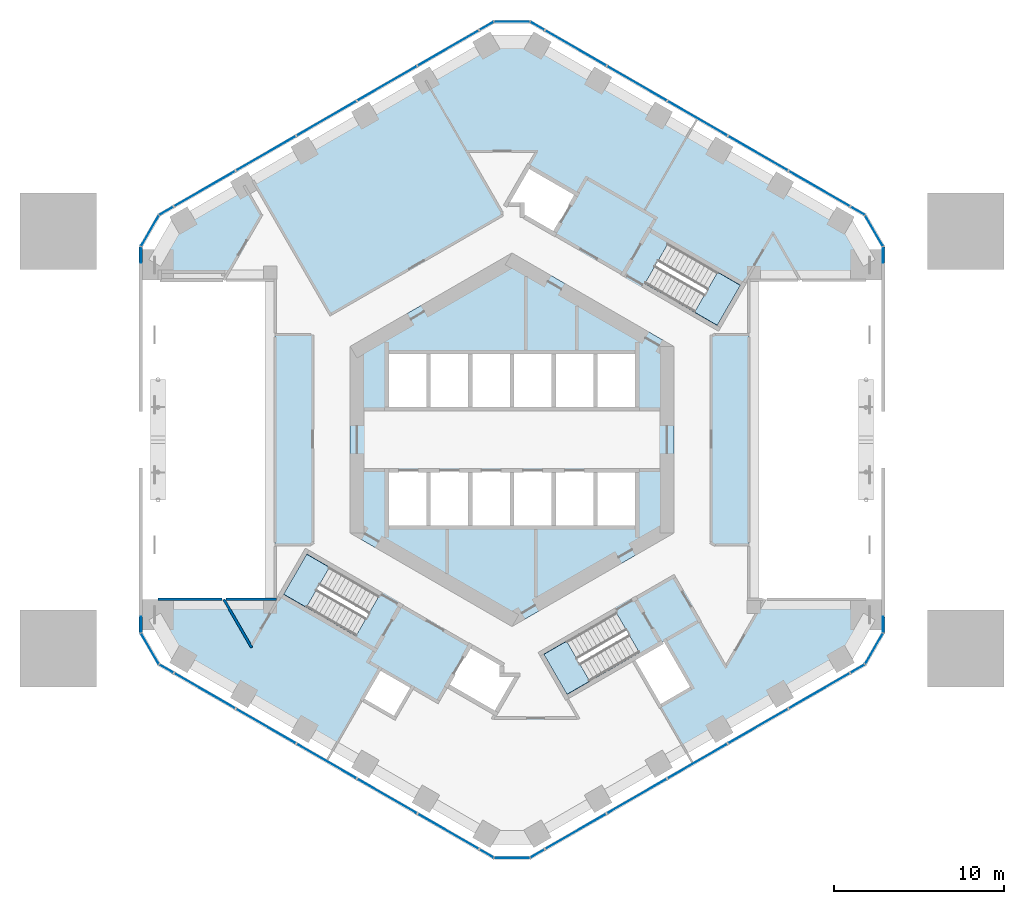
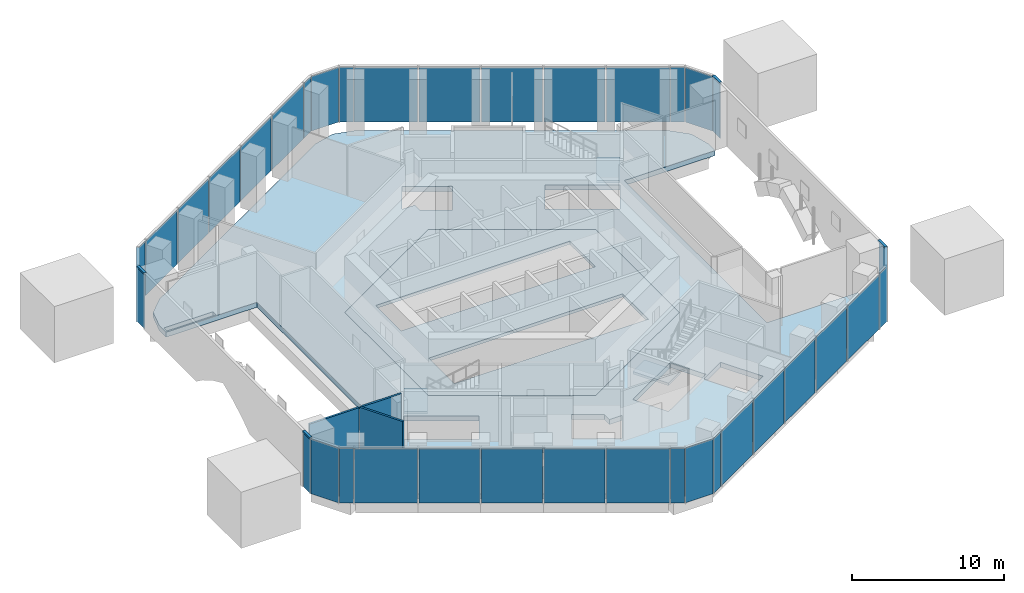
# One storey, part 8 of 14: 38 plates, 5 slabs, 4 members, 3 walls, 13 elements without a shape of their own.
"""IFC4 building model written with IfcOpenShell, lengths in metres."""

from ifc_helpers import new_model, si_unit, direction, frame, frame_2d, origin, origin_2d, place, context, subcontext, project, spatial, polyline, rectangle, outline, extrude, material, layer, layer_set, material_profile, profile_set, type_object, element, aggregate, save


model = new_model("IFC4")

# Units and contexts
model_context = context("Model", 3, precision=1e-05, world=origin(), true_north=direction((0.0, 1.0)))
body_context = subcontext(model_context, "Body", "Model", "MODEL_VIEW")
ifc_project = project(units=[si_unit("LENGTHUNIT", "METRE"), si_unit("AREAUNIT", "SQUARE_METRE"), si_unit("VOLUMEUNIT", "CUBIC_METRE"), si_unit("PLANEANGLEUNIT", "RADIAN"), si_unit("MASSUNIT", "GRAM", prefix="KILO")], contexts=[model_context])

# Site, building, storey
site_placement = place(None, origin())
site = spatial("IfcSite", under=ifc_project, at=site_placement, CompositionType="ELEMENT")
building_placement = place(site_placement, origin())
building = spatial("IfcBuilding", under=site, at=building_placement, Name="Ayvan Gate Tower", CompositionType="ELEMENT")
storey_placement = place(building_placement, frame((0.0, 0.0, 16.0)))
storey = spatial("IfcBuildingStorey", under=building, at=storey_placement, Name="L03", CompositionType="ELEMENT", Elevation=16.0)

# Curtain wall, member
ifc_material_1 = material(Name="Bronze anodised aluminium", Category="aluminium")
ifc_layer_1 = layer(ifc_material_1, 0.199951171875)
ifc_layer_set_1 = layer_set([ifc_layer_1], Name="Bronze anodised aluminium")
curtain_wall_type_1 = type_object("IfcCurtainWallType", Name="Stick curtain wall CW-6", PredefinedType="NOTDEFINED", material=ifc_layer_set_1)
curtain_wall_1_placement = place(storey_placement, origin())
curtain_wall_1 = element("IfcCurtainWall", 1, at=curtain_wall_1_placement, inside=storey, type_object=curtain_wall_type_1, Name="Stick curtain wall CW-6 L03", PredefinedType="NOTDEFINED")
ifc_material_profile = material_profile(ifc_material_1, rectangle(XDim=0.199951171875, YDim=0.1201171875, at=origin_2d()), Name="Stick curtain wall CW-6 transom 200 x 120")
ifc_profile_set = profile_set([ifc_material_profile], Name="Bronze anodised aluminium")
member_type = type_object("IfcMemberType", Name="Stick curtain wall CW-6 transom 200 x 120", PredefinedType="USERDEFINED", material=ifc_profile_set)
member_1_placement = place(storey_placement, frame((-21.78466796875, 11.32470703125, 4.43994140625), z_axis=(0.0, -1.0, 0.0), x_axis=(1.0, 0.0, 0.0)))
member_1 = element("IfcMember", 2, at=member_1_placement, type_object=member_type, Name="CW-6 transom 3", ObjectType="TRANSOM", PredefinedType="USERDEFINED", context=body_context, shape_type="SweptSolid", body=[
    extrude(rectangle(XDim=0.199951171875, YDim=0.1201171875, at=origin_2d()), origin(), (0.0, 0.0, 1.0), 0.925048828125),
])

curtain_wall_2_placement = place(storey_placement, origin())
curtain_wall_2 = element("IfcCurtainWall", 3, at=curtain_wall_2_placement, inside=storey, type_object=curtain_wall_type_1, Name="Stick curtain wall CW-6 L03", PredefinedType="NOTDEFINED")
member_2_placement = place(storey_placement, frame((-21.78466796875, -10.399658203125, 4.43994140625), z_axis=(0.0, -1.0, 0.0), x_axis=(1.0, 0.0, 0.0)))
member_2 = element("IfcMember", 4, at=member_2_placement, type_object=member_type, Name="CW-6 transom 1", ObjectType="TRANSOM", PredefinedType="USERDEFINED", context=body_context, shape_type="SweptSolid", body=[
    extrude(rectangle(XDim=0.199951171875, YDim=0.1201171875, at=origin_2d()), origin(), (0.0, 0.0, 1.0), 0.925048828125),
])

curtain_wall_3_placement = place(storey_placement, origin())
curtain_wall_3 = element("IfcCurtainWall", 5, at=curtain_wall_3_placement, inside=storey, type_object=curtain_wall_type_1, Name="Stick curtain wall CW-6 L03", PredefinedType="NOTDEFINED")
member_3_placement = place(storey_placement, frame((21.78466796875, -11.32470703125, 4.43994140625), z_axis=(0.0, 1.0, 0.0), x_axis=(-1.0, 0.0, 0.0)))
member_3 = element("IfcMember", 6, at=member_3_placement, type_object=member_type, Name="CW-6 transom 3", ObjectType="TRANSOM", PredefinedType="USERDEFINED", context=body_context, shape_type="SweptSolid", body=[
    extrude(rectangle(XDim=0.199951171875, YDim=0.1201171875, at=origin_2d()), origin(), (0.0, 0.0, 1.0), 0.925048828125),
])

curtain_wall_4_placement = place(storey_placement, origin())
curtain_wall_4 = element("IfcCurtainWall", 7, at=curtain_wall_4_placement, inside=storey, type_object=curtain_wall_type_1, Name="Stick curtain wall CW-6 L03", PredefinedType="NOTDEFINED")
member_4_placement = place(storey_placement, frame((21.78466796875, 10.399658203125, 4.43994140625), z_axis=(0.0, 1.0, 0.0), x_axis=(-1.0, 0.0, 0.0)))
member_4 = element("IfcMember", 8, at=member_4_placement, type_object=member_type, Name="CW-6 transom 1", ObjectType="TRANSOM", PredefinedType="USERDEFINED", context=body_context, shape_type="SweptSolid", body=[
    extrude(rectangle(XDim=0.199951171875, YDim=0.1201171875, at=origin_2d()), origin(), (0.0, 0.0, 1.0), 0.925048828125),
])

# Slabs
ifc_material_2 = material(Name="Concrete C40/50", Category="concrete")
ifc_layer_2 = layer(ifc_material_2, 0.39990234375)
ifc_layer_set_2 = layer_set([ifc_layer_2], Name="Concrete C40/50")
slab_type_1 = type_object("IfcSlabType", Name="Post-tensioned flat slab 400", PredefinedType="FLOOR", material=ifc_layer_set_2)
slab_1_placement = place(storey_placement, frame((0.0, 0.0, -0.39990234375)))
element("IfcSlab", 9, at=slab_1_placement, inside=storey, type_object=slab_type_1, Name="SL-L03", PredefinedType="FLOOR", context=body_context, shape_type="SweptSolid", body=[
    extrude(outline(polyline([(0.0, -23.535888671875), (-1.5, -23.134033203125), (-19.28466796875, -12.865966796875), (-20.382568359375, -11.76806640625), (-20.78466796875, -10.26806640625), (-20.78466796875, 0.0), (-20.78466796875, -9.367919921875), (-13.89990234375, -9.367919921875), (-13.89990234375, 9.367919921875), (-20.78466796875, 9.367919921875), (-20.78466796875, 10.26806640625), (-20.382568359375, 11.76806640625), (-19.28466796875, 12.865966796875), (-1.5, 23.134033203125), (0.0, 23.535888671875), (1.5, 23.134033203125), (19.28466796875, 12.865966796875), (20.382568359375, 11.76806640625), (20.78466796875, 10.26806640625), (20.78466796875, 9.367919921875), (13.89990234375, 9.367919921875), (13.89990234375, -9.367919921875), (20.78466796875, -9.367919921875), (20.78466796875, -10.26806640625), (20.382568359375, -11.76806640625), (19.28466796875, -12.865966796875), (1.5, -23.134033203125), (0.0, -23.535888671875)]), holes=[polyline([(7.80615234375, 9.170654296875), (12.049560546875, 6.720458984375), (13.404541015625, 9.0673828125), (9.1611328125, 11.517578125), (7.80615234375, 9.170654296875)]), polyline([(8.995361328125, -11.780517578125), (8.735595703125, -11.9306640625), (7.090087890625, -12.880615234375), (8.690185546875, -15.65185546875), (10.595458984375, -14.5517578125), (8.995361328125, -11.780517578125)]), polyline([(9.5, -5.48486328125), (9.5, 5.48486328125), (0.0, 10.9697265625), (-9.5, 5.48486328125), (-9.5, -5.48486328125), (0.0, -10.9697265625), (9.5, -5.48486328125)]), polyline([(6.117431640625, -10.1455078125), (1.873779296875, -12.595458984375), (3.228759765625, -14.9423828125), (7.472412109375, -12.492431640625), (6.117431640625, -10.1455078125)]), polyline([(0.964599609375, 16.07080078125), (-0.340576171875, 13.81005859375), (0.60009765625, 13.81005859375), (0.60009765625, 13.16357421875), (2.472412109375, 12.08251953125), (3.822509765625, 14.420654296875), (0.964599609375, 16.07080078125)]), polyline([(-0.60009765625, -13.16357421875), (-2.472412109375, -12.08251953125), (-3.822509765625, -14.420654296875), (-0.964599609375, -16.07080078125), (0.340576171875, -13.81005859375), (-0.60009765625, -13.81005859375), (-0.60009765625, -13.16357421875)]), polyline([(-6.894775390625, -16.342041015625), (-5.8447265625, -14.5234375), (-7.75, -13.42333984375), (-8.800048828125, -15.241943359375), (-6.894775390625, -16.342041015625)]), polyline([(-13.404541015625, -9.0673828125), (-9.1611328125, -11.517578125), (-7.80615234375, -9.170654296875), (-12.049560546875, -6.720458984375), (-13.404541015625, -9.0673828125)]), polyline([(-20.6845703125, 9.468017578125), (-16.948486328125, 9.468017578125), (-16.948486328125, 9.867919921875), (-20.6845703125, 9.867919921875), (-20.6845703125, 9.468017578125)])]), origin(), (0.0, 0.0, 1.0), 0.39990234375),
])
ifc_layer_3 = layer(ifc_material_2, 0.25)
ifc_layer_set_3 = layer_set([ifc_layer_3], Name="Concrete C40/50")
slab_type_2 = type_object("IfcSlabType", Name="SL-CORE-250", PredefinedType="FLOOR", material=ifc_layer_set_3)
slab_2_placement = place(storey_placement, frame((0.0, 0.0, -0.25)))
element("IfcSlab", 10, at=slab_2_placement, inside=storey, type_object=slab_type_2, Name="CS-L03", PredefinedType="FLOOR", context=body_context, shape_type="SweptSolid", body=[
    extrude(outline(polyline([(9.5, -5.48486328125), (0.0, -10.9697265625), (-9.5, -5.48486328125), (-9.5, 5.48486328125), (0.0, 10.9697265625), (9.5, 5.48486328125), (9.5, -5.48486328125)]), holes=[polyline([(-7.35009765625, -1.800048828125), (-7.35009765625, -5.14990234375), (7.35009765625, -5.14990234375), (7.35009765625, -1.800048828125), (-7.35009765625, -1.800048828125)]), polyline([(-7.35009765625, 5.14990234375), (-7.35009765625, 1.800048828125), (7.35009765625, 1.800048828125), (7.35009765625, 5.14990234375), (-7.35009765625, 5.14990234375)])]), origin(), (0.0, 0.0, 1.0), 0.25),
])

# Stair, slab
stair_type = type_object("IfcStairType", Name="ST-EXIT", PredefinedType="HALF_TURN_STAIR", material=ifc_material_2)
stair_1_placement = place(storey_placement, origin())
stair_1 = element("IfcStair", 11, at=stair_1_placement, inside=storey, type_object=stair_type, Name="L03 Exit Stair S1", PredefinedType="HALF_TURN_STAIR")
ifc_layer_4 = layer(ifc_material_2, 0.199951171875)
ifc_layer_set_4 = layer_set([ifc_layer_4], Name="Concrete C40/50")
slab_type_3 = type_object("IfcSlabType", Name="SL-LANDING-200", PredefinedType="LANDING", material=ifc_layer_set_4)
slab_3_placement = place(storey_placement, frame((0.0, 0.0, 2.050048828125)))
slab_3 = element("IfcSlab", 12, at=slab_3_placement, type_object=slab_type_3, Name="STS1 landing 1", PredefinedType="LANDING", context=body_context, shape_type="SweptSolid", body=[
    extrude(outline(polyline([(10.716064453125, 7.490478515625), (12.049560546875, 6.720458984375), (13.404541015625, 9.0673828125), (12.071044921875, 9.83740234375), (10.716064453125, 7.490478515625)])), origin(), (0.0, 0.0, 1.0), 0.199951171875),
])
aggregate(stair_1, [slab_3])

stair_2_placement = place(storey_placement, origin())
stair_2 = element("IfcStair", 13, at=stair_2_placement, inside=storey, type_object=stair_type, Name="L03 Exit Stair S2", PredefinedType="HALF_TURN_STAIR")
slab_4_placement = place(storey_placement, frame((0.0, 0.0, 2.050048828125)))
slab_4 = element("IfcSlab", 14, at=slab_4_placement, type_object=slab_type_3, Name="STS2 landing 1", PredefinedType="LANDING", context=body_context, shape_type="SweptSolid", body=[
    extrude(outline(polyline([(-10.716064453125, -7.490478515625), (-12.049560546875, -6.720458984375), (-13.404541015625, -9.0673828125), (-12.071044921875, -9.83740234375), (-10.716064453125, -7.490478515625)])), origin(), (0.0, 0.0, 1.0), 0.199951171875),
])
aggregate(stair_2, [slab_4])

stair_3_placement = place(storey_placement, origin())
stair_3 = element("IfcStair", 15, at=stair_3_placement, inside=storey, type_object=stair_type, Name="L03 Exit Stair S3", PredefinedType="HALF_TURN_STAIR")
slab_5_placement = place(storey_placement, frame((0.0, 0.0, 2.050048828125)))
slab_5 = element("IfcSlab", 16, at=slab_5_placement, type_object=slab_type_3, Name="STS3 landing 1", PredefinedType="LANDING", context=body_context, shape_type="SweptSolid", body=[
    extrude(outline(polyline([(3.20751953125, -11.82568359375), (1.873779296875, -12.595458984375), (3.228759765625, -14.9423828125), (4.5625, -14.172607421875), (3.20751953125, -11.82568359375)])), origin(), (0.0, 0.0, 1.0), 0.199951171875),
])
aggregate(stair_3, [slab_5])

# Curtain wall, plates
ifc_layer_5 = layer(ifc_material_1, 0.199951171875)
ifc_layer_set_5 = layer_set([ifc_layer_5], Name="Bronze anodised aluminium")
curtain_wall_type_2 = type_object("IfcCurtainWallType", Name="Stick curtain wall CW-3", PredefinedType="NOTDEFINED", material=ifc_layer_set_5)
curtain_wall_5_placement = place(storey_placement, origin())
curtain_wall_5 = element("IfcCurtainWall", 17, at=curtain_wall_5_placement, inside=storey, type_object=curtain_wall_type_2, Name="Stick curtain wall CW-3 L03", PredefinedType="NOTDEFINED")
ifc_material_3 = material(Name="Clear low-iron laminated glass", Category="glass")
ifc_layer_6 = layer(ifc_material_3, 0.028076171875)
ifc_layer_set_6 = layer_set([ifc_layer_6], Name="Clear low-iron laminated glass")
plate_type_1 = type_object("IfcPlateType", Name="Stick curtain wall CW-3 glass panel", PredefinedType="CURTAIN_PANEL", material=ifc_layer_set_6)
plate_1_placement = place(storey_placement, frame((-3.721435546875, 23.006103515625, 0.0), z_axis=(0.0, 0.0, 1.0), x_axis=(-0.866025403784, -0.5, 0.0)))
plate_1 = element("IfcPlate", 18, at=plate_1_placement, type_object=plate_type_1, Name="CW-3 glass panel 1", PredefinedType="CURTAIN_PANEL", context=body_context, shape_type="SweptSolid", body=[
    extrude(rectangle(XDim=4.138916015625, YDim=0.028076171875, at=origin_2d()), origin(), (0.0, 0.0, 1.0), 4.340087890625),
])
plate_2_placement = place(storey_placement, frame((-7.33544921875, 20.919677734375, 0.0), z_axis=(0.0, 0.0, 1.0), x_axis=(-0.866025403784, -0.5, 0.0)))
plate_2 = element("IfcPlate", 19, at=plate_2_placement, type_object=plate_type_1, Name="CW-3 glass panel 2", PredefinedType="CURTAIN_PANEL", context=body_context, shape_type="SweptSolid", body=[
    extrude(rectangle(XDim=4.007080078125, YDim=0.028076171875, at=origin_2d()), origin(), (0.0, 0.0, 1.0), 4.340087890625),
])
plate_3_placement = place(storey_placement, frame((-10.892333984375, 18.865966796875, 0.0), z_axis=(0.0, 0.0, 1.0), x_axis=(-0.866025403784, -0.5, 0.0)))
plate_3 = element("IfcPlate", 20, at=plate_3_placement, type_object=plate_type_1, Name="CW-3 glass panel 3", PredefinedType="CURTAIN_PANEL", context=body_context, shape_type="SweptSolid", body=[
    extrude(rectangle(XDim=4.007080078125, YDim=0.028076171875, at=origin_2d()), origin(), (0.0, 0.0, 1.0), 4.340087890625),
])
plate_4_placement = place(storey_placement, frame((-14.448974609375, 16.8125, 0.0), z_axis=(0.0, 0.0, 1.0), x_axis=(-0.866025403784, -0.5, 0.0)))
plate_4 = element("IfcPlate", 21, at=plate_4_placement, type_object=plate_type_1, Name="CW-3 glass panel 4", PredefinedType="CURTAIN_PANEL", context=body_context, shape_type="SweptSolid", body=[
    extrude(rectangle(XDim=4.007080078125, YDim=0.028076171875, at=origin_2d()), origin(), (0.0, 0.0, 1.0), 4.340087890625),
])
plate_5_placement = place(storey_placement, frame((-18.06298828125, 14.72607421875, 0.0), z_axis=(0.0, 0.0, 1.0), x_axis=(-0.866025403784, -0.5, 0.0)))
plate_5 = element("IfcPlate", 22, at=plate_5_placement, type_object=plate_type_1, Name="CW-3 glass panel 5", PredefinedType="CURTAIN_PANEL", context=body_context, shape_type="SweptSolid", body=[
    extrude(rectangle(XDim=4.13916015625, YDim=0.028076171875, at=origin_2d()), origin(), (0.0, 0.0, 1.0), 4.340087890625),
])
aggregate(curtain_wall_5, [plate_1, plate_2, plate_3, plate_4, plate_5])

curtain_wall_6_placement = place(storey_placement, origin())
curtain_wall_6 = element("IfcCurtainWall", 23, at=curtain_wall_6_placement, inside=storey, type_object=curtain_wall_type_2, Name="Stick curtain wall CW-3 L03", PredefinedType="NOTDEFINED")
plate_6_placement = place(storey_placement, frame((-18.06298828125, -14.72607421875, 0.0), z_axis=(0.0, 0.0, 1.0), x_axis=(0.866025403784, -0.5, 0.0)))
plate_6 = element("IfcPlate", 24, at=plate_6_placement, type_object=plate_type_1, Name="CW-3 glass panel 1", PredefinedType="CURTAIN_PANEL", context=body_context, shape_type="SweptSolid", body=[
    extrude(rectangle(XDim=4.138916015625, YDim=0.028076171875, at=origin_2d()), origin(), (0.0, 0.0, 1.0), 4.340087890625),
])
plate_7_placement = place(storey_placement, frame((-14.44921875, -16.8125, 0.0), z_axis=(0.0, 0.0, 1.0), x_axis=(0.866025403784, -0.5, 0.0)))
plate_7 = element("IfcPlate", 25, at=plate_7_placement, type_object=plate_type_1, Name="CW-3 glass panel 2", PredefinedType="CURTAIN_PANEL", context=body_context, shape_type="SweptSolid", body=[
    extrude(rectangle(XDim=4.007080078125, YDim=0.028076171875, at=origin_2d()), origin(), (0.0, 0.0, 1.0), 4.340087890625),
])
plate_8_placement = place(storey_placement, frame((-10.892333984375, -18.865966796875, 0.0), z_axis=(0.0, 0.0, 1.0), x_axis=(0.866025403784, -0.5, 0.0)))
plate_8 = element("IfcPlate", 26, at=plate_8_placement, type_object=plate_type_1, Name="CW-3 glass panel 3", PredefinedType="CURTAIN_PANEL", context=body_context, shape_type="SweptSolid", body=[
    extrude(rectangle(XDim=4.007080078125, YDim=0.028076171875, at=origin_2d()), origin(), (0.0, 0.0, 1.0), 4.340087890625),
])
plate_9_placement = place(storey_placement, frame((-7.335693359375, -20.91943359375, 0.0), z_axis=(0.0, 0.0, 1.0), x_axis=(0.866025403784, -0.5, 0.0)))
plate_9 = element("IfcPlate", 27, at=plate_9_placement, type_object=plate_type_1, Name="CW-3 glass panel 4", PredefinedType="CURTAIN_PANEL", context=body_context, shape_type="SweptSolid", body=[
    extrude(rectangle(XDim=4.007080078125, YDim=0.028076171875, at=origin_2d()), origin(), (0.0, 0.0, 1.0), 4.340087890625),
])
plate_10_placement = place(storey_placement, frame((-3.7216796875, -23.006103515625, 0.0), z_axis=(0.0, 0.0, 1.0), x_axis=(0.866025403784, -0.5, 0.0)))
plate_10 = element("IfcPlate", 28, at=plate_10_placement, type_object=plate_type_1, Name="CW-3 glass panel 5", PredefinedType="CURTAIN_PANEL", context=body_context, shape_type="SweptSolid", body=[
    extrude(rectangle(XDim=4.13916015625, YDim=0.028076171875, at=origin_2d()), origin(), (0.0, 0.0, 1.0), 4.340087890625),
])
aggregate(curtain_wall_6, [plate_6, plate_7, plate_8, plate_9, plate_10])

curtain_wall_7_placement = place(storey_placement, origin())
curtain_wall_7 = element("IfcCurtainWall", 29, at=curtain_wall_7_placement, inside=storey, type_object=curtain_wall_type_2, Name="Stick curtain wall CW-3 L03", PredefinedType="NOTDEFINED")
plate_11_placement = place(storey_placement, frame((3.721435546875, -23.006103515625, 0.0), z_axis=(0.0, 0.0, 1.0), x_axis=(0.866025403784, 0.5, 0.0)))
plate_11 = element("IfcPlate", 30, at=plate_11_placement, type_object=plate_type_1, Name="CW-3 glass panel 1", PredefinedType="CURTAIN_PANEL", context=body_context, shape_type="SweptSolid", body=[
    extrude(rectangle(XDim=4.138916015625, YDim=0.028076171875, at=origin_2d()), origin(), (0.0, 0.0, 1.0), 4.340087890625),
])
plate_12_placement = place(storey_placement, frame((7.33544921875, -20.919677734375, 0.0), z_axis=(0.0, 0.0, 1.0), x_axis=(0.866025403784, 0.5, 0.0)))
plate_12 = element("IfcPlate", 31, at=plate_12_placement, type_object=plate_type_1, Name="CW-3 glass panel 2", PredefinedType="CURTAIN_PANEL", context=body_context, shape_type="SweptSolid", body=[
    extrude(rectangle(XDim=4.007080078125, YDim=0.028076171875, at=origin_2d()), origin(), (0.0, 0.0, 1.0), 4.340087890625),
])
plate_13_placement = place(storey_placement, frame((10.892333984375, -18.865966796875, 0.0), z_axis=(0.0, 0.0, 1.0), x_axis=(0.866025403784, 0.5, 0.0)))
plate_13 = element("IfcPlate", 32, at=plate_13_placement, type_object=plate_type_1, Name="CW-3 glass panel 3", PredefinedType="CURTAIN_PANEL", context=body_context, shape_type="SweptSolid", body=[
    extrude(rectangle(XDim=4.007080078125, YDim=0.028076171875, at=origin_2d()), origin(), (0.0, 0.0, 1.0), 4.340087890625),
])
plate_14_placement = place(storey_placement, frame((14.448974609375, -16.8125, 0.0), z_axis=(0.0, 0.0, 1.0), x_axis=(0.866025403784, 0.5, 0.0)))
plate_14 = element("IfcPlate", 33, at=plate_14_placement, type_object=plate_type_1, Name="CW-3 glass panel 4", PredefinedType="CURTAIN_PANEL", context=body_context, shape_type="SweptSolid", body=[
    extrude(rectangle(XDim=4.007080078125, YDim=0.028076171875, at=origin_2d()), origin(), (0.0, 0.0, 1.0), 4.340087890625),
])
plate_15_placement = place(storey_placement, frame((18.06298828125, -14.72607421875, 0.0), z_axis=(0.0, 0.0, 1.0), x_axis=(0.866025403784, 0.5, 0.0)))
plate_15 = element("IfcPlate", 34, at=plate_15_placement, type_object=plate_type_1, Name="CW-3 glass panel 5", PredefinedType="CURTAIN_PANEL", context=body_context, shape_type="SweptSolid", body=[
    extrude(rectangle(XDim=4.13916015625, YDim=0.028076171875, at=origin_2d()), origin(), (0.0, 0.0, 1.0), 4.340087890625),
])
aggregate(curtain_wall_7, [plate_11, plate_12, plate_13, plate_14, plate_15])

curtain_wall_8_placement = place(storey_placement, origin())
curtain_wall_8 = element("IfcCurtainWall", 35, at=curtain_wall_8_placement, inside=storey, type_object=curtain_wall_type_2, Name="Stick curtain wall CW-3 L03", PredefinedType="NOTDEFINED")
plate_16_placement = place(storey_placement, frame((18.06298828125, 14.72607421875, 0.0), z_axis=(0.0, 0.0, 1.0), x_axis=(-0.866025403784, 0.5, 0.0)))
plate_16 = element("IfcPlate", 36, at=plate_16_placement, type_object=plate_type_1, Name="CW-3 glass panel 1", PredefinedType="CURTAIN_PANEL", context=body_context, shape_type="SweptSolid", body=[
    extrude(rectangle(XDim=4.138916015625, YDim=0.028076171875, at=origin_2d()), origin(), (0.0, 0.0, 1.0), 4.340087890625),
])
plate_17_placement = place(storey_placement, frame((14.44921875, 16.8125, 0.0), z_axis=(0.0, 0.0, 1.0), x_axis=(-0.866025403784, 0.5, 0.0)))
plate_17 = element("IfcPlate", 37, at=plate_17_placement, type_object=plate_type_1, Name="CW-3 glass panel 2", PredefinedType="CURTAIN_PANEL", context=body_context, shape_type="SweptSolid", body=[
    extrude(rectangle(XDim=4.007080078125, YDim=0.028076171875, at=origin_2d()), origin(), (0.0, 0.0, 1.0), 4.340087890625),
])
plate_18_placement = place(storey_placement, frame((10.892333984375, 18.865966796875, 0.0), z_axis=(0.0, 0.0, 1.0), x_axis=(-0.866025403784, 0.5, 0.0)))
plate_18 = element("IfcPlate", 38, at=plate_18_placement, type_object=plate_type_1, Name="CW-3 glass panel 3", PredefinedType="CURTAIN_PANEL", context=body_context, shape_type="SweptSolid", body=[
    extrude(rectangle(XDim=4.007080078125, YDim=0.028076171875, at=origin_2d()), origin(), (0.0, 0.0, 1.0), 4.340087890625),
])
plate_19_placement = place(storey_placement, frame((7.335693359375, 20.91943359375, 0.0), z_axis=(0.0, 0.0, 1.0), x_axis=(-0.866025403784, 0.5, 0.0)))
plate_19 = element("IfcPlate", 39, at=plate_19_placement, type_object=plate_type_1, Name="CW-3 glass panel 4", PredefinedType="CURTAIN_PANEL", context=body_context, shape_type="SweptSolid", body=[
    extrude(rectangle(XDim=4.007080078125, YDim=0.028076171875, at=origin_2d()), origin(), (0.0, 0.0, 1.0), 4.340087890625),
])
plate_20_placement = place(storey_placement, frame((3.7216796875, 23.006103515625, 0.0), z_axis=(0.0, 0.0, 1.0), x_axis=(-0.866025403784, 0.5, 0.0)))
plate_20 = element("IfcPlate", 40, at=plate_20_placement, type_object=plate_type_1, Name="CW-3 glass panel 5", PredefinedType="CURTAIN_PANEL", context=body_context, shape_type="SweptSolid", body=[
    extrude(rectangle(XDim=4.13916015625, YDim=0.028076171875, at=origin_2d()), origin(), (0.0, 0.0, 1.0), 4.340087890625),
])
aggregate(curtain_wall_8, [plate_16, plate_17, plate_18, plate_19, plate_20])

# Plate
ifc_layer_7 = layer(ifc_material_3, 0.028076171875)
ifc_layer_set_7 = layer_set([ifc_layer_7], Name="Clear low-iron laminated glass")
plate_type_2 = type_object("IfcPlateType", Name="Stick curtain wall CW-6 glass panel", PredefinedType="CURTAIN_PANEL", material=ifc_layer_set_7)
plate_21_placement = place(storey_placement, frame((-20.299072265625, 13.43505859375, 0.0), z_axis=(0.0, 0.0, 1.0), x_axis=(-0.866025403784, -0.5, 0.0)))
plate_21 = element("IfcPlate", 41, at=plate_21_placement, type_object=plate_type_2, Name="CW-6 glass panel 1", PredefinedType="CURTAIN_PANEL", context=body_context, shape_type="SweptSolid", body=[
    extrude(rectangle(XDim=0.925048828125, YDim=0.028076171875, at=origin_2d()), origin(), (0.0, 0.0, 1.0), 4.3798828125),
])

plate_22_placement = place(storey_placement, frame((-21.2529296875, 12.2705078125, 0.0), z_axis=(0.0, 0.0, 1.0), x_axis=(-0.5, -0.866025403784, 0.0)))
plate_22 = element("IfcPlate", 42, at=plate_22_placement, type_object=plate_type_2, Name="CW-6 glass panel 2", PredefinedType="CURTAIN_PANEL", context=body_context, shape_type="SweptSolid", body=[
    extrude(rectangle(XDim=2.076416015625, YDim=0.028076171875, at=origin_2d()), origin(), (0.0, 0.0, 1.0), 4.3798828125),
])

plate_23_placement = place(storey_placement, frame((-21.2529296875, -12.2705078125, 0.0), z_axis=(0.0, 0.0, 1.0), x_axis=(0.5, -0.866025403784, 0.0)))
plate_23 = element("IfcPlate", 43, at=plate_23_placement, type_object=plate_type_2, Name="CW-6 glass panel 2", PredefinedType="CURTAIN_PANEL", context=body_context, shape_type="SweptSolid", body=[
    extrude(rectangle(XDim=2.076416015625, YDim=0.028076171875, at=origin_2d()), origin(), (0.0, 0.0, 1.0), 4.3798828125),
])

plate_24_placement = place(storey_placement, frame((-20.299072265625, -13.43505859375, 0.0), z_axis=(0.0, 0.0, 1.0), x_axis=(0.866025403784, -0.5, 0.0)))
plate_24 = element("IfcPlate", 44, at=plate_24_placement, type_object=plate_type_2, Name="CW-6 glass panel 3", PredefinedType="CURTAIN_PANEL", context=body_context, shape_type="SweptSolid", body=[
    extrude(rectangle(XDim=0.925048828125, YDim=0.028076171875, at=origin_2d()), origin(), (0.0, 0.0, 1.0), 4.3798828125),
])

# Curtain wall, plates
curtain_wall_9_placement = place(storey_placement, origin())
curtain_wall_9 = element("IfcCurtainWall", 45, at=curtain_wall_9_placement, inside=storey, type_object=curtain_wall_type_1, Name="Stick curtain wall CW-6 L03", PredefinedType="NOTDEFINED")
plate_25_placement = place(storey_placement, frame((-1.4853515625, -24.297119140625, 0.0), z_axis=(0.0, 0.0, 1.0), x_axis=(0.866025403784, -0.5, 0.0)))
plate_25 = element("IfcPlate", 46, at=plate_25_placement, type_object=plate_type_2, Name="CW-6 glass panel 1", PredefinedType="CURTAIN_PANEL", context=body_context, shape_type="SweptSolid", body=[
    extrude(rectangle(XDim=0.925048828125, YDim=0.028076171875, at=origin_2d()), origin(), (0.0, 0.0, 1.0), 4.3798828125),
])
plate_26_placement = place(storey_placement, frame((0.0, -24.540771484375, 0.0), z_axis=(0.0, 0.0, 1.0), x_axis=(1.0, 0.0, 0.0)))
plate_26 = element("IfcPlate", 47, at=plate_26_placement, type_object=plate_type_2, Name="CW-6 glass panel 2", PredefinedType="CURTAIN_PANEL", context=body_context, shape_type="SweptSolid", body=[
    extrude(rectangle(XDim=2.076416015625, YDim=0.028076171875, at=origin_2d()), origin(), (0.0, 0.0, 1.0), 4.3798828125),
])
plate_27_placement = place(storey_placement, frame((1.4853515625, -24.297119140625, 0.0), z_axis=(0.0, 0.0, 1.0), x_axis=(0.866025403784, 0.5, 0.0)))
plate_27 = element("IfcPlate", 48, at=plate_27_placement, type_object=plate_type_2, Name="CW-6 glass panel 3", PredefinedType="CURTAIN_PANEL", context=body_context, shape_type="SweptSolid", body=[
    extrude(rectangle(XDim=0.925048828125, YDim=0.028076171875, at=origin_2d()), origin(), (0.0, 0.0, 1.0), 4.3798828125),
])
aggregate(curtain_wall_9, [plate_25, plate_26, plate_27])

# Plate
plate_28_placement = place(storey_placement, frame((20.299072265625, -13.43505859375, 0.0), z_axis=(0.0, 0.0, 1.0), x_axis=(0.866025403784, 0.5, 0.0)))
plate_28 = element("IfcPlate", 49, at=plate_28_placement, type_object=plate_type_2, Name="CW-6 glass panel 1", PredefinedType="CURTAIN_PANEL", context=body_context, shape_type="SweptSolid", body=[
    extrude(rectangle(XDim=0.925048828125, YDim=0.028076171875, at=origin_2d()), origin(), (0.0, 0.0, 1.0), 4.3798828125),
])

plate_29_placement = place(storey_placement, frame((21.2529296875, -12.2705078125, 0.0), z_axis=(0.0, 0.0, 1.0), x_axis=(0.5, 0.866025403784, 0.0)))
plate_29 = element("IfcPlate", 50, at=plate_29_placement, type_object=plate_type_2, Name="CW-6 glass panel 2", PredefinedType="CURTAIN_PANEL", context=body_context, shape_type="SweptSolid", body=[
    extrude(rectangle(XDim=2.076416015625, YDim=0.028076171875, at=origin_2d()), origin(), (0.0, 0.0, 1.0), 4.3798828125),
])

plate_30_placement = place(storey_placement, frame((21.2529296875, 12.2705078125, 0.0), z_axis=(0.0, 0.0, 1.0), x_axis=(-0.5, 0.866025403784, 0.0)))
plate_30 = element("IfcPlate", 51, at=plate_30_placement, type_object=plate_type_2, Name="CW-6 glass panel 2", PredefinedType="CURTAIN_PANEL", context=body_context, shape_type="SweptSolid", body=[
    extrude(rectangle(XDim=2.076416015625, YDim=0.028076171875, at=origin_2d()), origin(), (0.0, 0.0, 1.0), 4.3798828125),
])

plate_31_placement = place(storey_placement, frame((20.299072265625, 13.43505859375, 0.0), z_axis=(0.0, 0.0, 1.0), x_axis=(-0.866025403784, 0.5, 0.0)))
plate_31 = element("IfcPlate", 52, at=plate_31_placement, type_object=plate_type_2, Name="CW-6 glass panel 3", PredefinedType="CURTAIN_PANEL", context=body_context, shape_type="SweptSolid", body=[
    extrude(rectangle(XDim=0.925048828125, YDim=0.028076171875, at=origin_2d()), origin(), (0.0, 0.0, 1.0), 4.3798828125),
])

# Curtain wall, plates
curtain_wall_10_placement = place(storey_placement, origin())
curtain_wall_10 = element("IfcCurtainWall", 53, at=curtain_wall_10_placement, inside=storey, type_object=curtain_wall_type_1, Name="Stick curtain wall CW-6 L03", PredefinedType="NOTDEFINED")
plate_32_placement = place(storey_placement, frame((1.4853515625, 24.297119140625, 0.0), z_axis=(0.0, 0.0, 1.0), x_axis=(-0.866025403784, 0.5, 0.0)))
plate_32 = element("IfcPlate", 54, at=plate_32_placement, type_object=plate_type_2, Name="CW-6 glass panel 1", PredefinedType="CURTAIN_PANEL", context=body_context, shape_type="SweptSolid", body=[
    extrude(rectangle(XDim=0.925048828125, YDim=0.028076171875, at=origin_2d()), origin(), (0.0, 0.0, 1.0), 4.3798828125),
])
plate_33_placement = place(storey_placement, frame((0.0, 24.540771484375, 0.0), z_axis=(0.0, 0.0, 1.0), x_axis=(-1.0, 0.0, 0.0)))
plate_33 = element("IfcPlate", 55, at=plate_33_placement, type_object=plate_type_2, Name="CW-6 glass panel 2", PredefinedType="CURTAIN_PANEL", context=body_context, shape_type="SweptSolid", body=[
    extrude(rectangle(XDim=2.076416015625, YDim=0.028076171875, at=origin_2d()), origin(), (0.0, 0.0, 1.0), 4.3798828125),
])
plate_34_placement = place(storey_placement, frame((-1.4853515625, 24.297119140625, 0.0), z_axis=(0.0, 0.0, 1.0), x_axis=(-0.866025403784, -0.5, 0.0)))
plate_34 = element("IfcPlate", 56, at=plate_34_placement, type_object=plate_type_2, Name="CW-6 glass panel 3", PredefinedType="CURTAIN_PANEL", context=body_context, shape_type="SweptSolid", body=[
    extrude(rectangle(XDim=0.925048828125, YDim=0.028076171875, at=origin_2d()), origin(), (0.0, 0.0, 1.0), 4.3798828125),
])
aggregate(curtain_wall_10, [plate_32, plate_33, plate_34])

# Plate
ifc_material_4 = material(Name="Pale anodised aluminium composite panel", Category="aluminium")
ifc_layer_8 = layer(ifc_material_4, 0.028076171875)
ifc_layer_set_8 = layer_set([ifc_layer_8], Name="Pale anodised aluminium composite panel")
plate_type_3 = type_object("IfcPlateType", Name="Stick curtain wall CW-6 solid panel", PredefinedType="CURTAIN_PANEL", material=ifc_layer_set_8)
plate_35_placement = place(storey_placement, frame((-21.78466796875, 10.862060546875, 0.0), z_axis=(0.0, 0.0, 1.0), x_axis=(0.0, -1.0, 0.0)))
plate_35 = element("IfcPlate", 57, at=plate_35_placement, type_object=plate_type_3, Name="CW-6 solid panel 3", PredefinedType="CURTAIN_PANEL", context=body_context, shape_type="SweptSolid", body=[
    extrude(rectangle(XDim=0.925048828125, YDim=0.028076171875, at=origin_2d()), origin(), (0.0, 0.0, 1.0), 4.3798828125),
])

aggregate(curtain_wall_1, [member_1, plate_21, plate_22, plate_35])

plate_36_placement = place(storey_placement, frame((-21.78466796875, -10.862060546875, 0.0), z_axis=(0.0, 0.0, 1.0), x_axis=(0.0, -1.0, 0.0)))
plate_36 = element("IfcPlate", 58, at=plate_36_placement, type_object=plate_type_3, Name="CW-6 solid panel 1", PredefinedType="CURTAIN_PANEL", context=body_context, shape_type="SweptSolid", body=[
    extrude(rectangle(XDim=0.925048828125, YDim=0.028076171875, at=origin_2d()), origin(), (0.0, 0.0, 1.0), 4.3798828125),
])

aggregate(curtain_wall_2, [member_2, plate_36, plate_23, plate_24])

plate_37_placement = place(storey_placement, frame((21.78466796875, -10.862060546875, 0.0), z_axis=(0.0, 0.0, 1.0), x_axis=(0.0, 1.0, 0.0)))
plate_37 = element("IfcPlate", 59, at=plate_37_placement, type_object=plate_type_3, Name="CW-6 solid panel 3", PredefinedType="CURTAIN_PANEL", context=body_context, shape_type="SweptSolid", body=[
    extrude(rectangle(XDim=0.925048828125, YDim=0.028076171875, at=origin_2d()), origin(), (0.0, 0.0, 1.0), 4.3798828125),
])

aggregate(curtain_wall_3, [member_3, plate_28, plate_29, plate_37])

plate_38_placement = place(storey_placement, frame((21.78466796875, 10.862060546875, 0.0), z_axis=(0.0, 0.0, 1.0), x_axis=(0.0, 1.0, 0.0)))
plate_38 = element("IfcPlate", 60, at=plate_38_placement, type_object=plate_type_3, Name="CW-6 solid panel 1", PredefinedType="CURTAIN_PANEL", context=body_context, shape_type="SweptSolid", body=[
    extrude(rectangle(XDim=0.925048828125, YDim=0.028076171875, at=origin_2d()), origin(), (0.0, 0.0, 1.0), 4.3798828125),
])

aggregate(curtain_wall_4, [member_4, plate_38, plate_30, plate_31])

# Walls
ifc_material_5 = material(Name="Plasterboard on steel stud", Category="steel")
ifc_layer_9 = layer(ifc_material_5, 0.14990234375)
ifc_layer_set_9 = layer_set([ifc_layer_9], Name="Plasterboard on steel stud")
wall_type = type_object("IfcWallType", Name="WT-CORR-150", PredefinedType="PARTITIONING", material=ifc_layer_set_9)
wall_1_placement = place(storey_placement, frame((-20.78466796875, -9.367919921875, 0.0), z_axis=(0.0, 0.0, 1.0), x_axis=(1.0, 0.0, 0.0)))
element("IfcWall", 61, at=wall_1_placement, inside=storey, type_object=wall_type, Name="IW-L03-000", PredefinedType="PARTITIONING", context=body_context, shape_type="SweptSolid", body=[
    extrude(rectangle(XDim=3.74609375, YDim=0.14990234375, at=frame_2d((1.873046875, 0.0))), origin(), (0.0, 0.0, 1.0), 4.050048828125),
])
wall_2_placement = place(storey_placement, frame((-16.780029296875, -9.367919921875, 0.0), z_axis=(0.0, 0.0, 1.0), x_axis=(1.0, 0.0, 0.0)))
element("IfcWall", 62, at=wall_2_placement, inside=storey, type_object=wall_type, Name="IW-L03-006", PredefinedType="PARTITIONING", context=body_context, shape_type="SweptSolid", body=[
    extrude(rectangle(XDim=2.955078125, YDim=0.14990234375, at=frame_2d((1.4775390625, 0.0))), origin(), (0.0, 0.0, 1.0), 4.050048828125),
])
wall_3_placement = place(storey_placement, frame((-15.282958984375, -12.200927734375, 0.0), z_axis=(0.0, 0.0, 1.0), x_axis=(-0.500023926868, 0.86601158916, 0.0)))
element("IfcWall", 63, at=wall_3_placement, inside=storey, type_object=wall_type, Name="IW-L03-007", PredefinedType="PARTITIONING", context=body_context, shape_type="SweptSolid", body=[
    extrude(rectangle(XDim=3.271240234375, YDim=0.14990234375, at=frame_2d((1.6357421875, 0.0))), origin(), (0.0, 0.0, 1.0), 4.050048828125),
])

save(model, "model.ifc")
